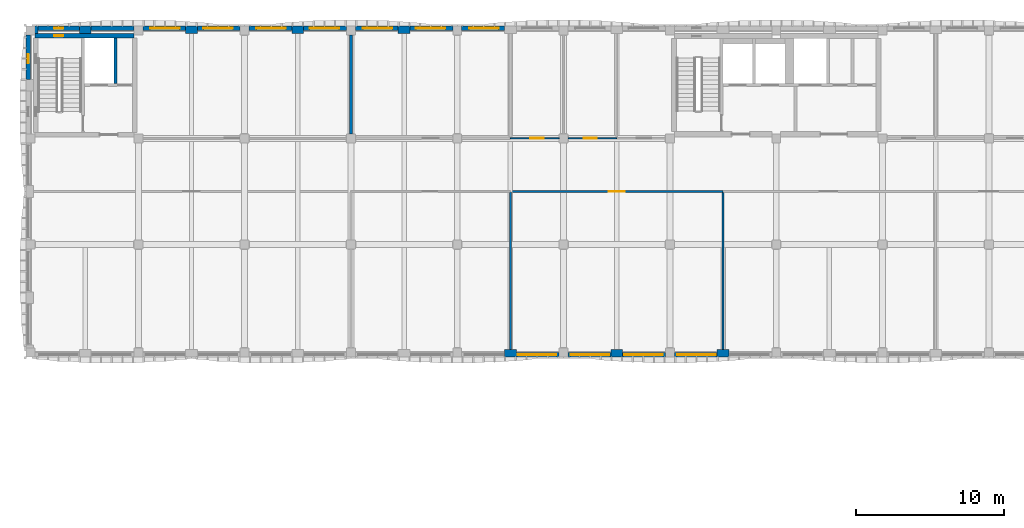
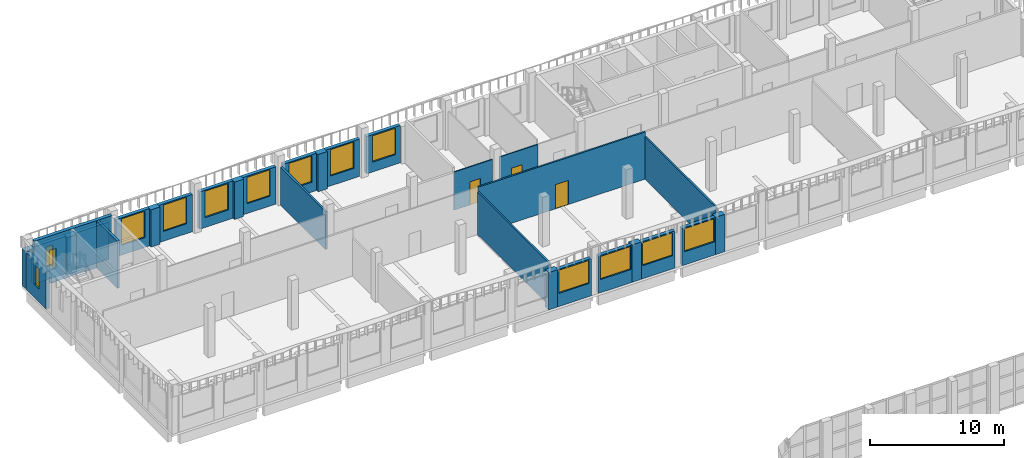
# One storey, part 18 of 44: 30 walls, 14 windows, 3 doors, 17 openings.
"""IFC4 building model written with IfcOpenShell, lengths in metres."""

from ifc_helpers import new_model, si_unit, direction, frame, frame_2d, origin, place, context, subcontext, project, spatial, rectangle, extrude, material, layer, layer_set, type_object, element, fill, save


model = new_model("IFC4")

# Units and contexts
model_context = context("Model", 3, precision=1e-05, world=origin(), true_north=direction((0.0, 1.0)))
body_context = subcontext(model_context, "Body", "Model", "MODEL_VIEW")
ifc_project = project(units=[si_unit("LENGTHUNIT", "METRE"), si_unit("AREAUNIT", "SQUARE_METRE"), si_unit("VOLUMEUNIT", "CUBIC_METRE"), si_unit("PLANEANGLEUNIT", "RADIAN"), si_unit("MASSUNIT", "GRAM", prefix="KILO")], contexts=[model_context])

# Site, building, storey
site_placement = place(None, origin())
site = spatial("IfcSite", under=ifc_project, at=site_placement, CompositionType="ELEMENT")
building_placement = place(site_placement, origin())
building = spatial("IfcBuilding", under=site, at=building_placement, Name="Ussher Court Research Institute", CompositionType="ELEMENT")
storey_placement = place(building_placement, frame((0.0, 0.0, 18.89990234375)))
storey = spatial("IfcBuildingStorey", under=building, at=storey_placement, Name="L04", CompositionType="ELEMENT", Elevation=18.89990234375)

# Wall
ifc_material_1 = material(Name="Plasterboard on steel studs with mineral wool", Category="steel")
ifc_layer_1 = layer(ifc_material_1, 0.179931640625)
ifc_layer_set_1 = layer_set([ifc_layer_1], Name="Plasterboard on steel studs with mineral wool")
wall_type_1 = type_object("IfcWallType", Name="Acoustic twin-stud partition 180", PredefinedType="PARTITIONING", material=ifc_layer_set_1)
wall_1_placement = place(storey_placement, frame((24.60009765625, 83.5, 0.0), z_axis=(0.0, 0.0, 1.0), x_axis=(0.0, 1.0, 0.0)))
element("IfcWall", 1, at=wall_1_placement, inside=storey, type_object=wall_type_1, Name="Partition", PredefinedType="PARTITIONING", context=body_context, shape_type="SweptSolid", body=[
    extrude(rectangle(XDim=6.699951171875, YDim=0.179931640625, at=frame_2d((3.35009765625, 0.0))), origin(), (0.0, 0.0, 1.0), 3.47021484375),
])

# Wall, opening, window
ifc_material_2 = material(Name="Blockwork with cream render", Category="masonry")
ifc_layer_2 = layer(ifc_material_2, 0.300048828125)
ifc_layer_set_2 = layer_set([ifc_layer_2], Name="Blockwork with cream render")
wall_type_2 = type_object("IfcWallType", Name="External wall 300 cream render", PredefinedType="SOLIDWALL", material=ifc_layer_set_2)
wall_2_placement = place(storey_placement, frame((10.5, 90.64990234375, 0.0), z_axis=(0.0, 0.0, 1.0), x_axis=(1.0, 0.0, 0.0)))
wall_2 = element("IfcWall", 2, at=wall_2_placement, inside=storey, type_object=wall_type_2, Name="External wall EW1 L04", PredefinedType="SOLIDWALL", context=body_context, shape_type="SweptSolid", body=[
    extrude(rectangle(XDim=2.89990234375, YDim=0.300048828125, at=frame_2d((1.449951171875, 0.0))), origin(), (0.0, 0.0, 1.0), 3.400146484375),
])
opening_1_placement = place(wall_2_placement, frame((0.5, 0.0, 0.89990234375)))
opening_1 = element("IfcOpeningElement", 3, at=opening_1_placement, cuts=wall_2, Name="Opening W14", PredefinedType="OPENING", context=body_context, shape_type="SweptSolid", body=[
    extrude(rectangle(XDim=2.0, YDim=2.39990234375, at=frame_2d((1.0, 1.199951171875))), frame((0.0, 0.16015625, 0.0), z_axis=(0.0, -1.0, 0.0), x_axis=(1.0, 0.0, 0.0)), (0.0, 0.0, 1.0), 0.320068359375),
])
ifc_material_3 = material(Name="Bronze anodised aluminium with double glazing", Category="aluminium")
window_type_1 = type_object("IfcWindowType", Name="Seminar and write-up office window 2000x2400", PartitioningType="DOUBLE_PANEL_VERTICAL", PredefinedType="WINDOW", material=ifc_material_3)
window_1_placement = place(opening_1_placement, origin())
window_1 = element("IfcWindow", 4, at=window_1_placement, inside=storey, type_object=window_type_1, Name="Window W14 L04", OverallHeight=2.39990234375, OverallWidth=2.0, PartitioningType="SINGLE_PANEL", PredefinedType="WINDOW", context=body_context, shape_type="SweptSolid", body=[
    extrude(rectangle(XDim=2.0, YDim=2.39990234375, at=frame_2d((1.0, 1.199951171875))), frame((0.0, 0.030029296875, 0.0), z_axis=(0.0, -1.0, 0.0), x_axis=(1.0, 0.0, 0.0)), (0.0, 0.0, 1.0), 0.06005859375),
])
fill(opening_1, window_1)

wall_3_placement = place(storey_placement, frame((14.199951171875, 90.64990234375, 0.0), z_axis=(0.0, 0.0, 1.0), x_axis=(1.0, 0.0, 0.0)))
wall_3 = element("IfcWall", 5, at=wall_3_placement, inside=storey, type_object=wall_type_2, Name="External wall EW1 L04", PredefinedType="SOLIDWALL", context=body_context, shape_type="SweptSolid", body=[
    extrude(rectangle(XDim=2.900146484375, YDim=0.300048828125, at=frame_2d((1.4501953125, 0.0))), origin(), (0.0, 0.0, 1.0), 3.400146484375),
])
opening_2_placement = place(wall_3_placement, frame((0.39990234375, 0.0, 0.89990234375)))
opening_2 = element("IfcOpeningElement", 6, at=opening_2_placement, cuts=wall_3, Name="Opening W14", PredefinedType="OPENING", context=body_context, shape_type="SweptSolid", body=[
    extrude(rectangle(XDim=2.0, YDim=2.39990234375, at=frame_2d((1.0, 1.199951171875))), frame((0.0, 0.16015625, 0.0), z_axis=(0.0, -1.0, 0.0), x_axis=(1.0, 0.0, 0.0)), (0.0, 0.0, 1.0), 0.320068359375),
])
window_2_placement = place(opening_2_placement, origin())
window_2 = element("IfcWindow", 7, at=window_2_placement, inside=storey, type_object=window_type_1, Name="Window W14 L04", OverallHeight=2.39990234375, OverallWidth=2.0, PartitioningType="SINGLE_PANEL", PredefinedType="WINDOW", context=body_context, shape_type="SweptSolid", body=[
    extrude(rectangle(XDim=2.0, YDim=2.39990234375, at=frame_2d((1.0, 1.199951171875))), frame((0.0, 0.030029296875, 0.0), z_axis=(0.0, -1.0, 0.0), x_axis=(1.0, 0.0, 0.0)), (0.0, 0.0, 1.0), 0.06005859375),
])
fill(opening_2, window_2)

wall_4_placement = place(storey_placement, frame((17.699951171875, 90.64990234375, 0.0), z_axis=(0.0, 0.0, 1.0), x_axis=(1.0, 0.0, 0.0)))
wall_4 = element("IfcWall", 8, at=wall_4_placement, inside=storey, type_object=wall_type_2, Name="External wall EW1 L04", PredefinedType="SOLIDWALL", context=body_context, shape_type="SweptSolid", body=[
    extrude(rectangle(XDim=2.900146484375, YDim=0.300048828125, at=frame_2d((1.4501953125, 0.0))), origin(), (0.0, 0.0, 1.0), 3.400146484375),
])
opening_3_placement = place(wall_4_placement, frame((0.5, 0.0, 0.89990234375)))
opening_3 = element("IfcOpeningElement", 9, at=opening_3_placement, cuts=wall_4, Name="Opening W14", PredefinedType="OPENING", context=body_context, shape_type="SweptSolid", body=[
    extrude(rectangle(XDim=2.0, YDim=2.39990234375, at=frame_2d((1.0, 1.199951171875))), frame((0.0, 0.16015625, 0.0), z_axis=(0.0, -1.0, 0.0), x_axis=(1.0, 0.0, 0.0)), (0.0, 0.0, 1.0), 0.320068359375),
])
window_3_placement = place(opening_3_placement, origin())
window_3 = element("IfcWindow", 10, at=window_3_placement, inside=storey, type_object=window_type_1, Name="Window W14 L04", OverallHeight=2.39990234375, OverallWidth=2.0, PartitioningType="SINGLE_PANEL", PredefinedType="WINDOW", context=body_context, shape_type="SweptSolid", body=[
    extrude(rectangle(XDim=2.0, YDim=2.39990234375, at=frame_2d((1.0, 1.199951171875))), frame((0.0, 0.030029296875, 0.0), z_axis=(0.0, -1.0, 0.0), x_axis=(1.0, 0.0, 0.0)), (0.0, 0.0, 1.0), 0.06005859375),
])
fill(opening_3, window_3)

wall_5_placement = place(storey_placement, frame((21.39990234375, 90.64990234375, 0.0), z_axis=(0.0, 0.0, 1.0), x_axis=(1.0, 0.0, 0.0)))
wall_5 = element("IfcWall", 11, at=wall_5_placement, inside=storey, type_object=wall_type_2, Name="External wall EW1 L04", PredefinedType="SOLIDWALL", context=body_context, shape_type="SweptSolid", body=[
    extrude(rectangle(XDim=2.900146484375, YDim=0.300048828125, at=frame_2d((1.4501953125, 0.0))), origin(), (0.0, 0.0, 1.0), 3.400146484375),
])
opening_4_placement = place(wall_5_placement, frame((0.39990234375, 0.0, 0.89990234375)))
opening_4 = element("IfcOpeningElement", 12, at=opening_4_placement, cuts=wall_5, Name="Opening W14", PredefinedType="OPENING", context=body_context, shape_type="SweptSolid", body=[
    extrude(rectangle(XDim=2.0, YDim=2.39990234375, at=frame_2d((1.0, 1.199951171875))), frame((0.0, 0.16015625, 0.0), z_axis=(0.0, -1.0, 0.0), x_axis=(1.0, 0.0, 0.0)), (0.0, 0.0, 1.0), 0.320068359375),
])
window_4_placement = place(opening_4_placement, origin())
window_4 = element("IfcWindow", 13, at=window_4_placement, inside=storey, type_object=window_type_1, Name="Window W14 L04", OverallHeight=2.39990234375, OverallWidth=2.0, PartitioningType="SINGLE_PANEL", PredefinedType="WINDOW", context=body_context, shape_type="SweptSolid", body=[
    extrude(rectangle(XDim=2.0, YDim=2.39990234375, at=frame_2d((1.0, 1.199951171875))), frame((0.0, 0.030029296875, 0.0), z_axis=(0.0, -1.0, 0.0), x_axis=(1.0, 0.0, 0.0)), (0.0, 0.0, 1.0), 0.06005859375),
])
fill(opening_4, window_4)

wall_6_placement = place(storey_placement, frame((24.89990234375, 90.64990234375, 0.0), z_axis=(0.0, 0.0, 1.0), x_axis=(1.0, 0.0, 0.0)))
wall_6 = element("IfcWall", 14, at=wall_6_placement, inside=storey, type_object=wall_type_2, Name="External wall EW1 L04", PredefinedType="SOLIDWALL", context=body_context, shape_type="SweptSolid", body=[
    extrude(rectangle(XDim=2.900146484375, YDim=0.300048828125, at=frame_2d((1.4501953125, 0.0))), origin(), (0.0, 0.0, 1.0), 3.400146484375),
])
opening_5_placement = place(wall_6_placement, frame((0.5, 0.0, 0.89990234375)))
opening_5 = element("IfcOpeningElement", 15, at=opening_5_placement, cuts=wall_6, Name="Opening W14", PredefinedType="OPENING", context=body_context, shape_type="SweptSolid", body=[
    extrude(rectangle(XDim=2.0, YDim=2.39990234375, at=frame_2d((1.0, 1.199951171875))), frame((0.0, 0.16015625, 0.0), z_axis=(0.0, -1.0, 0.0), x_axis=(1.0, 0.0, 0.0)), (0.0, 0.0, 1.0), 0.320068359375),
])
window_5_placement = place(opening_5_placement, origin())
window_5 = element("IfcWindow", 16, at=window_5_placement, inside=storey, type_object=window_type_1, Name="Window W14 L04", OverallHeight=2.39990234375, OverallWidth=2.0, PartitioningType="SINGLE_PANEL", PredefinedType="WINDOW", context=body_context, shape_type="SweptSolid", body=[
    extrude(rectangle(XDim=2.0, YDim=2.39990234375, at=frame_2d((1.0, 1.199951171875))), frame((0.0, 0.030029296875, 0.0), z_axis=(0.0, -1.0, 0.0), x_axis=(1.0, 0.0, 0.0)), (0.0, 0.0, 1.0), 0.06005859375),
])
fill(opening_5, window_5)

wall_7_placement = place(storey_placement, frame((28.60009765625, 90.64990234375, 0.0), z_axis=(0.0, 0.0, 1.0), x_axis=(1.0, 0.0, 0.0)))
wall_7 = element("IfcWall", 17, at=wall_7_placement, inside=storey, type_object=wall_type_2, Name="External wall EW1 L04", PredefinedType="SOLIDWALL", context=body_context, shape_type="SweptSolid", body=[
    extrude(rectangle(XDim=2.89990234375, YDim=0.300048828125, at=frame_2d((1.449951171875, 0.0))), origin(), (0.0, 0.0, 1.0), 3.400146484375),
])
opening_6_placement = place(wall_7_placement, frame((0.39990234375, 0.0, 0.89990234375)))
opening_6 = element("IfcOpeningElement", 18, at=opening_6_placement, cuts=wall_7, Name="Opening W14", PredefinedType="OPENING", context=body_context, shape_type="SweptSolid", body=[
    extrude(rectangle(XDim=2.0, YDim=2.39990234375, at=frame_2d((1.0, 1.199951171875))), frame((0.0, 0.16015625, 0.0), z_axis=(0.0, -1.0, 0.0), x_axis=(1.0, 0.0, 0.0)), (0.0, 0.0, 1.0), 0.320068359375),
])
window_6_placement = place(opening_6_placement, origin())
window_6 = element("IfcWindow", 19, at=window_6_placement, inside=storey, type_object=window_type_1, Name="Window W14 L04", OverallHeight=2.39990234375, OverallWidth=2.0, PartitioningType="SINGLE_PANEL", PredefinedType="WINDOW", context=body_context, shape_type="SweptSolid", body=[
    extrude(rectangle(XDim=2.0, YDim=2.39990234375, at=frame_2d((1.0, 1.199951171875))), frame((0.0, 0.030029296875, 0.0), z_axis=(0.0, -1.0, 0.0), x_axis=(1.0, 0.0, 0.0)), (0.0, 0.0, 1.0), 0.06005859375),
])
fill(opening_6, window_6)

wall_8_placement = place(storey_placement, frame((32.10009765625, 90.64990234375, 0.0), z_axis=(0.0, 0.0, 1.0), x_axis=(1.0, 0.0, 0.0)))
wall_8 = element("IfcWall", 20, at=wall_8_placement, inside=storey, type_object=wall_type_2, Name="External wall EW1 L04", PredefinedType="SOLIDWALL", context=body_context, shape_type="SweptSolid", body=[
    extrude(rectangle(XDim=2.89990234375, YDim=0.300048828125, at=frame_2d((1.449951171875, 0.0))), origin(), (0.0, 0.0, 1.0), 3.400146484375),
])
opening_7_placement = place(wall_8_placement, frame((0.5, 0.0, 0.89990234375)))
opening_7 = element("IfcOpeningElement", 21, at=opening_7_placement, cuts=wall_8, Name="Opening W14", PredefinedType="OPENING", context=body_context, shape_type="SweptSolid", body=[
    extrude(rectangle(XDim=2.0, YDim=2.39990234375, at=frame_2d((1.0, 1.199951171875))), frame((0.0, 0.16015625, 0.0), z_axis=(0.0, -1.0, 0.0), x_axis=(1.0, 0.0, 0.0)), (0.0, 0.0, 1.0), 0.320068359375),
])
window_7_placement = place(opening_7_placement, origin())
window_7 = element("IfcWindow", 22, at=window_7_placement, inside=storey, type_object=window_type_1, Name="Window W14 L04", OverallHeight=2.39990234375, OverallWidth=2.0, PartitioningType="SINGLE_PANEL", PredefinedType="WINDOW", context=body_context, shape_type="SweptSolid", body=[
    extrude(rectangle(XDim=2.0, YDim=2.39990234375, at=frame_2d((1.0, 1.199951171875))), frame((0.0, 0.030029296875, 0.0), z_axis=(0.0, -1.0, 0.0), x_axis=(1.0, 0.0, 0.0)), (0.0, 0.0, 1.0), 0.06005859375),
])
fill(opening_7, window_7)

wall_9_placement = place(storey_placement, frame((49.39990234375, 68.550048828125, 0.0), z_axis=(0.0, 0.0, 1.0), x_axis=(-1.0, 0.0, 0.0)))
wall_9 = element("IfcWall", 23, at=wall_9_placement, inside=storey, type_object=wall_type_2, Name="External wall EW1 L04", PredefinedType="SOLIDWALL", context=body_context, shape_type="SweptSolid", body=[
    extrude(rectangle(XDim=2.89990234375, YDim=0.300048828125, at=frame_2d((1.449951171875, 0.0))), origin(), (0.0, 0.0, 1.0), 3.400146484375),
])
opening_8_placement = place(wall_9_placement, frame((0.10009765625, 0.0, 1.199951171875)))
opening_8 = element("IfcOpeningElement", 24, at=opening_8_placement, cuts=wall_9, Name="Opening W08", PredefinedType="OPENING", context=body_context, shape_type="SweptSolid", body=[
    extrude(rectangle(XDim=2.60009765625, YDim=2.10009765625, at=frame_2d((1.300048828125, 1.050048828125))), frame((0.0, 0.16015625, 0.0), z_axis=(0.0, -1.0, 0.0), x_axis=(1.0, 0.0, 0.0)), (0.0, 0.0, 1.0), 0.320068359375),
])
ifc_material_4 = material(Name="Bronze anodised aluminium with double glazing", Category="aluminium")
window_type_2 = type_object("IfcWindowType", Name="Dry laboratory bay window 2600x2100", PartitioningType="DOUBLE_PANEL_VERTICAL", PredefinedType="WINDOW", material=ifc_material_4)
window_8_placement = place(opening_8_placement, origin())
window_8 = element("IfcWindow", 25, at=window_8_placement, inside=storey, type_object=window_type_2, Name="Window W08 L04", OverallHeight=2.10009765625, OverallWidth=2.60009765625, PartitioningType="SINGLE_PANEL", PredefinedType="WINDOW", context=body_context, shape_type="SweptSolid", body=[
    extrude(rectangle(XDim=2.60009765625, YDim=2.10009765625, at=frame_2d((1.300048828125, 1.050048828125))), frame((0.0, 0.030029296875, 0.0), z_axis=(0.0, -1.0, 0.0), x_axis=(1.0, 0.0, 0.0)), (0.0, 0.0, 1.0), 0.06005859375),
])
fill(opening_8, window_8)

wall_10_placement = place(storey_placement, frame((45.89990234375, 68.550048828125, 0.0), z_axis=(0.0, 0.0, 1.0), x_axis=(-1.0, 0.0, 0.0)))
wall_10 = element("IfcWall", 26, at=wall_10_placement, inside=storey, type_object=wall_type_2, Name="External wall EW1 L04", PredefinedType="SOLIDWALL", context=body_context, shape_type="SweptSolid", body=[
    extrude(rectangle(XDim=2.89990234375, YDim=0.300048828125, at=frame_2d((1.449951171875, 0.0))), origin(), (0.0, 0.0, 1.0), 3.400146484375),
])
opening_9_placement = place(wall_10_placement, frame((0.199951171875, 0.0, 1.199951171875)))
opening_9 = element("IfcOpeningElement", 27, at=opening_9_placement, cuts=wall_10, Name="Opening W08", PredefinedType="OPENING", context=body_context, shape_type="SweptSolid", body=[
    extrude(rectangle(XDim=2.60009765625, YDim=2.10009765625, at=frame_2d((1.300048828125, 1.050048828125))), frame((0.0, 0.16015625, 0.0), z_axis=(0.0, -1.0, 0.0), x_axis=(1.0, 0.0, 0.0)), (0.0, 0.0, 1.0), 0.320068359375),
])
window_9_placement = place(opening_9_placement, origin())
window_9 = element("IfcWindow", 28, at=window_9_placement, inside=storey, type_object=window_type_2, Name="Window W08 L04", OverallHeight=2.10009765625, OverallWidth=2.60009765625, PartitioningType="SINGLE_PANEL", PredefinedType="WINDOW", context=body_context, shape_type="SweptSolid", body=[
    extrude(rectangle(XDim=2.60009765625, YDim=2.10009765625, at=frame_2d((1.300048828125, 1.050048828125))), frame((0.0, 0.030029296875, 0.0), z_axis=(0.0, -1.0, 0.0), x_axis=(1.0, 0.0, 0.0)), (0.0, 0.0, 1.0), 0.06005859375),
])
fill(opening_9, window_9)

wall_11_placement = place(storey_placement, frame((42.199951171875, 68.550048828125, 0.0), z_axis=(0.0, 0.0, 1.0), x_axis=(-1.0, 0.0, 0.0)))
wall_11 = element("IfcWall", 29, at=wall_11_placement, inside=storey, type_object=wall_type_2, Name="External wall EW1 L04", PredefinedType="SOLIDWALL", context=body_context, shape_type="SweptSolid", body=[
    extrude(rectangle(XDim=2.89990234375, YDim=0.300048828125, at=frame_2d((1.449951171875, 0.0))), origin(), (0.0, 0.0, 1.0), 3.400146484375),
])
opening_10_placement = place(wall_11_placement, frame((0.10009765625, 0.0, 1.199951171875)))
opening_10 = element("IfcOpeningElement", 30, at=opening_10_placement, cuts=wall_11, Name="Opening W08", PredefinedType="OPENING", context=body_context, shape_type="SweptSolid", body=[
    extrude(rectangle(XDim=2.60009765625, YDim=2.10009765625, at=frame_2d((1.300048828125, 1.050048828125))), frame((0.0, 0.16015625, 0.0), z_axis=(0.0, -1.0, 0.0), x_axis=(1.0, 0.0, 0.0)), (0.0, 0.0, 1.0), 0.320068359375),
])
window_10_placement = place(opening_10_placement, origin())
window_10 = element("IfcWindow", 31, at=window_10_placement, inside=storey, type_object=window_type_2, Name="Window W08 L04", OverallHeight=2.10009765625, OverallWidth=2.60009765625, PartitioningType="SINGLE_PANEL", PredefinedType="WINDOW", context=body_context, shape_type="SweptSolid", body=[
    extrude(rectangle(XDim=2.60009765625, YDim=2.10009765625, at=frame_2d((1.300048828125, 1.050048828125))), frame((0.0, 0.030029296875, 0.0), z_axis=(0.0, -1.0, 0.0), x_axis=(1.0, 0.0, 0.0)), (0.0, 0.0, 1.0), 0.06005859375),
])
fill(opening_10, window_10)

wall_12_placement = place(storey_placement, frame((38.699951171875, 68.550048828125, 0.0), z_axis=(0.0, 0.0, 1.0), x_axis=(-1.0, 0.0, 0.0)))
wall_12 = element("IfcWall", 32, at=wall_12_placement, inside=storey, type_object=wall_type_2, Name="External wall EW1 L04", PredefinedType="SOLIDWALL", context=body_context, shape_type="SweptSolid", body=[
    extrude(rectangle(XDim=2.89990234375, YDim=0.300048828125, at=frame_2d((1.449951171875, 0.0))), origin(), (0.0, 0.0, 1.0), 3.400146484375),
])
opening_11_placement = place(wall_12_placement, frame((0.199951171875, 0.0, 1.199951171875)))
opening_11 = element("IfcOpeningElement", 33, at=opening_11_placement, cuts=wall_12, Name="Opening W08", PredefinedType="OPENING", context=body_context, shape_type="SweptSolid", body=[
    extrude(rectangle(XDim=2.60009765625, YDim=2.10009765625, at=frame_2d((1.300048828125, 1.050048828125))), frame((0.0, 0.16015625, 0.0), z_axis=(0.0, -1.0, 0.0), x_axis=(1.0, 0.0, 0.0)), (0.0, 0.0, 1.0), 0.320068359375),
])
window_11_placement = place(opening_11_placement, origin())
window_11 = element("IfcWindow", 34, at=window_11_placement, inside=storey, type_object=window_type_2, Name="Window W08 L04", OverallHeight=2.10009765625, OverallWidth=2.60009765625, PartitioningType="SINGLE_PANEL", PredefinedType="WINDOW", context=body_context, shape_type="SweptSolid", body=[
    extrude(rectangle(XDim=2.60009765625, YDim=2.10009765625, at=frame_2d((1.300048828125, 1.050048828125))), frame((0.0, 0.030029296875, 0.0), z_axis=(0.0, -1.0, 0.0), x_axis=(1.0, 0.0, 0.0)), (0.0, 0.0, 1.0), 0.06005859375),
])
fill(opening_11, window_11)

ifc_material_5 = material(Name="Limestone facing on blockwork", Category="masonry")
ifc_layer_3 = layer(ifc_material_5, 0.300048828125)
ifc_layer_set_3 = layer_set([ifc_layer_3], Name="Limestone facing on blockwork")
wall_type_3 = type_object("IfcWallType", Name="External wall 300 stair enclosure", PredefinedType="SOLIDWALL", material=ifc_layer_set_3)
wall_13_placement = place(storey_placement, frame((3.39990234375, 90.64990234375, 0.0), z_axis=(0.0, 0.0, 1.0), x_axis=(1.0, 0.0, 0.0)))
wall_13 = element("IfcWall", 35, at=wall_13_placement, inside=storey, type_object=wall_type_3, Name="External wall EW5 L04", PredefinedType="SOLIDWALL", context=body_context, shape_type="SweptSolid", body=[
    extrude(rectangle(XDim=2.800048828125, YDim=0.300048828125, at=frame_2d((1.39990234375, 0.0))), origin(), (0.0, 0.0, 1.0), 3.400146484375),
])
opening_12_placement = place(wall_13_placement, frame((1.10009765625, 0.0, 1.199951171875)))
opening_12 = element("IfcOpeningElement", 36, at=opening_12_placement, cuts=wall_13, Name="Opening W25", PredefinedType="OPENING", context=body_context, shape_type="SweptSolid", body=[
    extrude(rectangle(XDim=0.60009765625, YDim=1.800048828125, at=frame_2d((0.300048828125, 0.89990234375))), frame((0.0, 0.16015625, 0.0), z_axis=(0.0, -1.0, 0.0), x_axis=(1.0, 0.0, 0.0)), (0.0, 0.0, 1.0), 0.320068359375),
])
ifc_material_6 = material(Name="Bronze anodised aluminium with double glazing", Category="aluminium")
window_type_3 = type_object("IfcWindowType", Name="Stair light slot window 600x1800 fire-resisting glazing", PartitioningType="SINGLE_PANEL", PredefinedType="WINDOW", material=ifc_material_6)
window_12_placement = place(opening_12_placement, origin())
window_12 = element("IfcWindow", 37, at=window_12_placement, inside=storey, type_object=window_type_3, Name="Window W25 L04", OverallHeight=1.800048828125, OverallWidth=0.60009765625, PartitioningType="SINGLE_PANEL", PredefinedType="WINDOW", context=body_context, shape_type="SweptSolid", body=[
    extrude(rectangle(XDim=0.60009765625, YDim=1.800048828125, at=frame_2d((0.300048828125, 0.89990234375))), frame((0.0, 0.030029296875, 0.0), z_axis=(0.0, -1.0, 0.0), x_axis=(1.0, 0.0, 0.0)), (0.0, 0.0, 1.0), 0.06005859375),
])
fill(opening_12, window_12)

# Wall
wall_14_placement = place(storey_placement, frame((7.0, 90.64990234375, 0.0), z_axis=(0.0, 0.0, 1.0), x_axis=(1.0, 0.0, 0.0)))
element("IfcWall", 38, at=wall_14_placement, inside=storey, type_object=wall_type_3, Name="External wall EW5 L04", PredefinedType="SOLIDWALL", context=body_context, shape_type="SweptSolid", body=[
    extrude(rectangle(XDim=2.89990234375, YDim=0.300048828125, at=frame_2d((1.449951171875, 0.0))), origin(), (0.0, 0.0, 1.0), 3.400146484375),
])

# Wall, opening, window
wall_15_placement = place(storey_placement, frame((2.75, 87.199951171875, 0.0), z_axis=(0.0, 0.0, 1.0), x_axis=(0.0, 1.0, 0.0)))
wall_15 = element("IfcWall", 39, at=wall_15_placement, inside=storey, type_object=wall_type_3, Name="External wall EW5 L04", PredefinedType="SOLIDWALL", context=body_context, shape_type="SweptSolid", body=[
    extrude(rectangle(XDim=3.0, YDim=0.300048828125, at=frame_2d((1.5, 0.0))), origin(), (0.0, 0.0, 1.0), 3.400146484375),
])
opening_13_placement = place(wall_15_placement, frame((1.10009765625, 0.0, 1.199951171875)))
opening_13 = element("IfcOpeningElement", 40, at=opening_13_placement, cuts=wall_15, Name="Opening W25", PredefinedType="OPENING", context=body_context, shape_type="SweptSolid", body=[
    extrude(rectangle(XDim=0.60009765625, YDim=1.800048828125, at=frame_2d((0.300048828125, 0.89990234375))), frame((0.0, 0.16015625, 0.0), z_axis=(0.0, -1.0, 0.0), x_axis=(1.0, 0.0, 0.0)), (0.0, 0.0, 1.0), 0.320068359375),
])
window_13_placement = place(opening_13_placement, origin())
window_13 = element("IfcWindow", 41, at=window_13_placement, inside=storey, type_object=window_type_3, Name="Window W25 L04", OverallHeight=1.800048828125, OverallWidth=0.60009765625, PartitioningType="SINGLE_PANEL", PredefinedType="WINDOW", context=body_context, shape_type="SweptSolid", body=[
    extrude(rectangle(XDim=0.60009765625, YDim=1.800048828125, at=frame_2d((0.300048828125, 0.89990234375))), frame((0.0, 0.030029296875, 0.0), z_axis=(0.0, -1.0, 0.0), x_axis=(1.0, 0.0, 0.0)), (0.0, 0.0, 1.0), 0.06005859375),
])
fill(opening_13, window_13)

# Wall, opening, door
ifc_material_7 = material(Name="Plastered blockwork", Category="masonry")
ifc_layer_4 = layer(ifc_material_7, 0.139892578125)
ifc_layer_set_4 = layer_set([ifc_layer_4], Name="Plastered blockwork")
wall_type_4 = type_object("IfcWallType", Name="Laboratory blockwork partition 140", PredefinedType="PARTITIONING", material=ifc_layer_set_4)
wall_16_placement = place(storey_placement, frame((49.800048828125, 79.60009765625, 0.0), z_axis=(0.0, 0.0, 1.0), x_axis=(-1.0, 0.0, 0.0)))
wall_16 = element("IfcWall", 42, at=wall_16_placement, inside=storey, type_object=wall_type_4, Name="Partition", PredefinedType="PARTITIONING", context=body_context, shape_type="SweptSolid", body=[
    extrude(rectangle(XDim=14.400146484375, YDim=0.139892578125, at=frame_2d((7.2001953125, 0.0))), origin(), (0.0, 0.0, 1.0), 4.300048828125),
])
opening_14_placement = place(wall_16_placement, frame((6.64990234375, 0.0, 0.0)))
opening_14 = element("IfcOpeningElement", 43, at=opening_14_placement, cuts=wall_16, Name="Opening D04010", PredefinedType="OPENING", context=body_context, shape_type="SweptSolid", body=[
    extrude(rectangle(XDim=1.10009765625, YDim=2.199951171875, at=frame_2d((0.550048828125, 1.10009765625))), frame((0.0, 0.080078125, 0.0), z_axis=(0.0, -1.0, 0.0), x_axis=(1.0, 0.0, 0.0)), (0.0, 0.0, 1.0), 0.159912109375),
])
ifc_material_8 = material(Name="Veneered timber door", Category="wood")
door_type_1 = type_object("IfcDoorType", Name="Computing laboratory door 1100x2200", OperationType="NOTDEFINED", PredefinedType="DOOR", material=ifc_material_8)
door_1_placement = place(opening_14_placement, origin())
door_1 = element("IfcDoor", 44, at=door_1_placement, inside=storey, type_object=door_type_1, Name="Door D04010", OperationType="SINGLE_SWING_LEFT", OverallHeight=2.199951171875, OverallWidth=1.10009765625, PredefinedType="DOOR", context=body_context, shape_type="SweptSolid", body=[
    extrude(rectangle(XDim=1.10009765625, YDim=2.199951171875, at=frame_2d((0.550048828125, 1.10009765625))), frame((0.0, 0.02490234375, 0.0), z_axis=(0.0, -1.0, 0.0), x_axis=(1.0, 0.0, 0.0)), (0.0, 0.0, 1.0), 0.050048828125),
])
fill(opening_14, door_1)

# Walls
wall_17_placement = place(storey_placement, frame((35.39990234375, 68.89990234375, 0.0), z_axis=(0.0, 0.0, 1.0), x_axis=(0.0, 1.0, 0.0)))
element("IfcWall", 45, at=wall_17_placement, inside=storey, type_object=wall_type_4, Name="Partition", PredefinedType="PARTITIONING", context=body_context, shape_type="SweptSolid", body=[
    extrude(rectangle(XDim=10.650146484375, YDim=0.139892578125, at=frame_2d((5.3251953125, 0.0))), origin(), (0.0, 0.0, 1.0), 3.8701171875),
])
wall_18_placement = place(storey_placement, frame((49.800048828125, 68.89990234375, 0.0), z_axis=(0.0, 0.0, 1.0), x_axis=(0.0, 1.0, 0.0)))
element("IfcWall", 46, at=wall_18_placement, inside=storey, type_object=wall_type_4, Name="Partition", PredefinedType="PARTITIONING", context=body_context, shape_type="SweptSolid", body=[
    extrude(rectangle(XDim=10.630126953125, YDim=0.139892578125, at=frame_2d((5.31494140625, 0.0))), origin(), (0.0, 0.0, 1.0), 3.8701171875),
])
ifc_material_9 = material(Name="Blockwork with cream render", Category="masonry")
ifc_layer_5 = layer(ifc_material_9, 0.5)
ifc_layer_set_5 = layer_set([ifc_layer_5], Name="Blockwork with cream render")
wall_type_5 = type_object("IfcWallType", Name="Pier 800x500 cream render", PredefinedType="SOLIDWALL", material=ifc_layer_set_5)
wall_19_placement = place(storey_placement, frame((2.60009765625, 90.550048828125, 0.0), z_axis=(0.0, 0.0, 1.0), x_axis=(1.0, 0.0, 0.0)))
element("IfcWall", 47, at=wall_19_placement, inside=storey, type_object=wall_type_5, Name="Pier PR1 L04", PredefinedType="SOLIDWALL", context=body_context, shape_type="SweptSolid", body=[
    extrude(rectangle(XDim=0.7998046875, YDim=0.5, at=frame_2d((0.39990234375, 0.0))), origin(), (0.0, 0.0, 1.0), 3.400146484375),
])
for number, where, z_axis, x_axis, name in (
    (48, (6.199951171875, 90.550048828125, 0.0), (0.0, 0.0, 1.0), (1.0, 0.0, 0.0), "Pier PR1 L04"),
    (49, (13.39990234375, 90.550048828125, 0.0), (0.0, 0.0, 1.0), (1.0, 0.0, 0.0), "Pier PR1 L04"),
):
    element("IfcWall", number, at=place(storey_placement, frame(where, z_axis=z_axis, x_axis=x_axis)), inside=storey, type_object=wall_type_5, Name=name, PredefinedType="SOLIDWALL", context=body_context, shape_type="SweptSolid", body=[
        extrude(rectangle(XDim=0.800048828125, YDim=0.5, at=frame_2d((0.39990234375, 0.0))), origin(), (0.0, 0.0, 1.0), 3.400146484375),
    ])
wall_20_placement = place(storey_placement, frame((20.60009765625, 90.550048828125, 0.0), z_axis=(0.0, 0.0, 1.0), x_axis=(1.0, 0.0, 0.0)))
element("IfcWall", 50, at=wall_20_placement, inside=storey, type_object=wall_type_5, Name="Pier PR1 L04", PredefinedType="SOLIDWALL", context=body_context, shape_type="SweptSolid", body=[
    extrude(rectangle(XDim=0.7998046875, YDim=0.5, at=frame_2d((0.39990234375, 0.0))), origin(), (0.0, 0.0, 1.0), 3.400146484375),
])
for number, where, z_axis, x_axis, name in (
    (51, (27.800048828125, 90.550048828125, 0.0), (0.0, 0.0, 1.0), (1.0, 0.0, 0.0), "Pier PR1 L04"),
    (52, (50.199951171875, 68.64990234375, 0.0), (0.0, 0.0, 1.0), (-1.0, 0.0, 0.0), "Pier PR1 L04"),
    (53, (43.0, 68.64990234375, 0.0), (0.0, 0.0, 1.0), (-1.0, 0.0, 0.0), "Pier PR1 L04"),
    (54, (35.800048828125, 68.64990234375, 0.0), (0.0, 0.0, 1.0), (-1.0, 0.0, 0.0), "Pier PR1 L04"),
):
    element("IfcWall", number, at=place(storey_placement, frame(where, z_axis=z_axis, x_axis=x_axis)), inside=storey, type_object=wall_type_5, Name=name, PredefinedType="SOLIDWALL", context=body_context, shape_type="SweptSolid", body=[
        extrude(rectangle(XDim=0.800048828125, YDim=0.5, at=frame_2d((0.39990234375, 0.0))), origin(), (0.0, 0.0, 1.0), 3.400146484375),
    ])
ifc_material_10 = material(Name="Concrete C35/45", Category="concrete")
ifc_layer_6 = layer(ifc_material_10, 0.199951171875)
ifc_layer_set_6 = layer_set([ifc_layer_6], Name="Concrete C35/45")
wall_type_6 = type_object("IfcWallType", Name="RC core wall 200", PredefinedType="SHEAR", material=ifc_layer_set_6)
wall_21_placement = place(storey_placement, frame((8.64990234375, 86.89990234375, 0.0), z_axis=(0.0, 0.0, 1.0), x_axis=(0.0, 1.0, 0.0)))
element("IfcWall", 55, at=wall_21_placement, inside=storey, type_object=wall_type_6, Name="Core wall D1", PredefinedType="SHEAR", context=body_context, shape_type="SweptSolid", body=[
    extrude(rectangle(XDim=3.10009765625, YDim=0.199951171875, at=frame_2d((1.550048828125, 0.0))), origin(), (0.0, 0.0, 1.0), 4.300048828125),
])

# Wall, opening, window
ifc_material_11 = material(Name="Concrete C35/45", Category="concrete")
ifc_layer_7 = layer(ifc_material_11, 0.300048828125)
ifc_layer_set_7 = layer_set([ifc_layer_7], Name="Concrete C35/45")
wall_type_7 = type_object("IfcWallType", Name="RC core wall 300", PredefinedType="SHEAR", material=ifc_layer_set_7)
wall_22_placement = place(storey_placement, frame((3.199951171875, 90.14990234375, 0.0), z_axis=(0.0, 0.0, 1.0), x_axis=(1.0, 0.0, 0.0)))
wall_22 = element("IfcWall", 56, at=wall_22_placement, inside=storey, type_object=wall_type_7, Name="Core wall D1", PredefinedType="SHEAR", context=body_context, shape_type="SweptSolid", body=[
    extrude(rectangle(XDim=6.699951171875, YDim=0.300048828125, at=frame_2d((3.35009765625, 0.0))), origin(), (0.0, 0.0, 1.0), 4.300048828125),
])
opening_15_placement = place(wall_22_placement, frame((1.300048828125, 0.0, 1.199951171875)))
opening_15 = element("IfcOpeningElement", 57, at=opening_15_placement, cuts=wall_22, Name="Opening W25", PredefinedType="OPENING", context=body_context, shape_type="SweptSolid", body=[
    extrude(rectangle(XDim=0.60009765625, YDim=1.800048828125, at=frame_2d((0.300048828125, 0.89990234375))), frame((0.0, 0.16015625, 0.0), z_axis=(0.0, -1.0, 0.0), x_axis=(1.0, 0.0, 0.0)), (0.0, 0.0, 1.0), 0.320068359375),
])
window_14_placement = place(opening_15_placement, origin())
window_14 = element("IfcWindow", 58, at=window_14_placement, inside=storey, type_object=window_type_3, Name="Window stair light D1 L04", OverallHeight=1.800048828125, OverallWidth=0.60009765625, PartitioningType="SINGLE_PANEL", PredefinedType="WINDOW", context=body_context, shape_type="SweptSolid", body=[
    extrude(rectangle(XDim=0.60009765625, YDim=1.800048828125, at=frame_2d((0.300048828125, 0.89990234375))), frame((0.0, 0.030029296875, 0.0), z_axis=(0.0, -1.0, 0.0), x_axis=(1.0, 0.0, 0.0)), (0.0, 0.0, 1.0), 0.06005859375),
])
fill(opening_15, window_14)

# Wall, opening, door
ifc_material_12 = material(Name="Moisture-resistant board on steel studs", Category="steel")
ifc_layer_8 = layer(ifc_material_12, 0.090087890625)
ifc_layer_set_8 = layer_set([ifc_layer_8], Name="Moisture-resistant board on steel studs")
wall_type_8 = type_object("IfcWallType", Name="WC lining partition 90", PredefinedType="PARTITIONING", material=ifc_layer_set_8)
wall_23_placement = place(storey_placement, frame((35.39990234375, 83.199951171875, 0.0), z_axis=(0.0, 0.0, 1.0), x_axis=(1.0, 0.0, 0.0)))
wall_23 = element("IfcWall", 59, at=wall_23_placement, inside=storey, type_object=wall_type_8, Name="Partition", PredefinedType="PARTITIONING", context=body_context, shape_type="SweptSolid", body=[
    extrude(rectangle(XDim=3.300048828125, YDim=0.090087890625, at=frame_2d((1.64990234375, 0.0))), origin(), (0.0, 0.0, 1.0), 3.47021484375),
])
opening_16_placement = place(wall_23_placement, frame((1.35009765625, 0.0, 0.0)))
opening_16 = element("IfcOpeningElement", 60, at=opening_16_placement, cuts=wall_23, Name="Opening D04008", PredefinedType="OPENING", context=body_context, shape_type="SweptSolid", body=[
    extrude(rectangle(XDim=0.89990234375, YDim=2.10009765625, at=frame_2d((0.449951171875, 1.050048828125))), frame((0.0, 0.05517578125, 0.0), z_axis=(0.0, -1.0, 0.0), x_axis=(1.0, 0.0, 0.0)), (0.0, 0.0, 1.0), 0.110107421875),
])
ifc_material_13 = material(Name="Veneered timber door", Category="wood")
door_type_2 = type_object("IfcDoorType", Name="WC door 900x2100", OperationType="NOTDEFINED", PredefinedType="DOOR", material=ifc_material_13)
door_2_placement = place(opening_16_placement, origin())
door_2 = element("IfcDoor", 61, at=door_2_placement, inside=storey, type_object=door_type_2, Name="Door D04008", OperationType="SINGLE_SWING_RIGHT", OverallHeight=2.10009765625, OverallWidth=0.89990234375, PredefinedType="DOOR", context=body_context, shape_type="SweptSolid", body=[
    extrude(rectangle(XDim=0.89990234375, YDim=2.10009765625, at=frame_2d((0.449951171875, 1.050048828125))), frame((0.0, 0.02490234375, 0.0), z_axis=(0.0, -1.0, 0.0), x_axis=(1.0, 0.0, 0.0)), (0.0, 0.0, 1.0), 0.050048828125),
])
fill(opening_16, door_2)

wall_24_placement = place(storey_placement, frame((39.300048828125, 83.199951171875, 0.0), z_axis=(0.0, 0.0, 1.0), x_axis=(1.0, 0.0, 0.0)))
wall_24 = element("IfcWall", 62, at=wall_24_placement, inside=storey, type_object=wall_type_8, Name="Partition", PredefinedType="PARTITIONING", context=body_context, shape_type="SweptSolid", body=[
    extrude(rectangle(XDim=3.300048828125, YDim=0.090087890625, at=frame_2d((1.64990234375, 0.0))), origin(), (0.0, 0.0, 1.0), 3.47021484375),
])
opening_17_placement = place(wall_24_placement, frame((1.050048828125, 0.0, 0.0)))
opening_17 = element("IfcOpeningElement", 63, at=opening_17_placement, cuts=wall_24, Name="Opening D04009", PredefinedType="OPENING", context=body_context, shape_type="SweptSolid", body=[
    extrude(rectangle(XDim=0.89990234375, YDim=2.10009765625, at=frame_2d((0.449951171875, 1.050048828125))), frame((0.0, 0.05517578125, 0.0), z_axis=(0.0, -1.0, 0.0), x_axis=(1.0, 0.0, 0.0)), (0.0, 0.0, 1.0), 0.110107421875),
])
door_3_placement = place(opening_17_placement, origin())
door_3 = element("IfcDoor", 64, at=door_3_placement, inside=storey, type_object=door_type_2, Name="Door D04009", OperationType="SINGLE_SWING_LEFT", OverallHeight=2.10009765625, OverallWidth=0.89990234375, PredefinedType="DOOR", context=body_context, shape_type="SweptSolid", body=[
    extrude(rectangle(XDim=0.89990234375, YDim=2.10009765625, at=frame_2d((0.449951171875, 1.050048828125))), frame((0.0, 0.02490234375, 0.0), z_axis=(0.0, -1.0, 0.0), x_axis=(1.0, 0.0, 0.0)), (0.0, 0.0, 1.0), 0.050048828125),
])
fill(opening_17, door_3)

save(model, "model.ifc")
